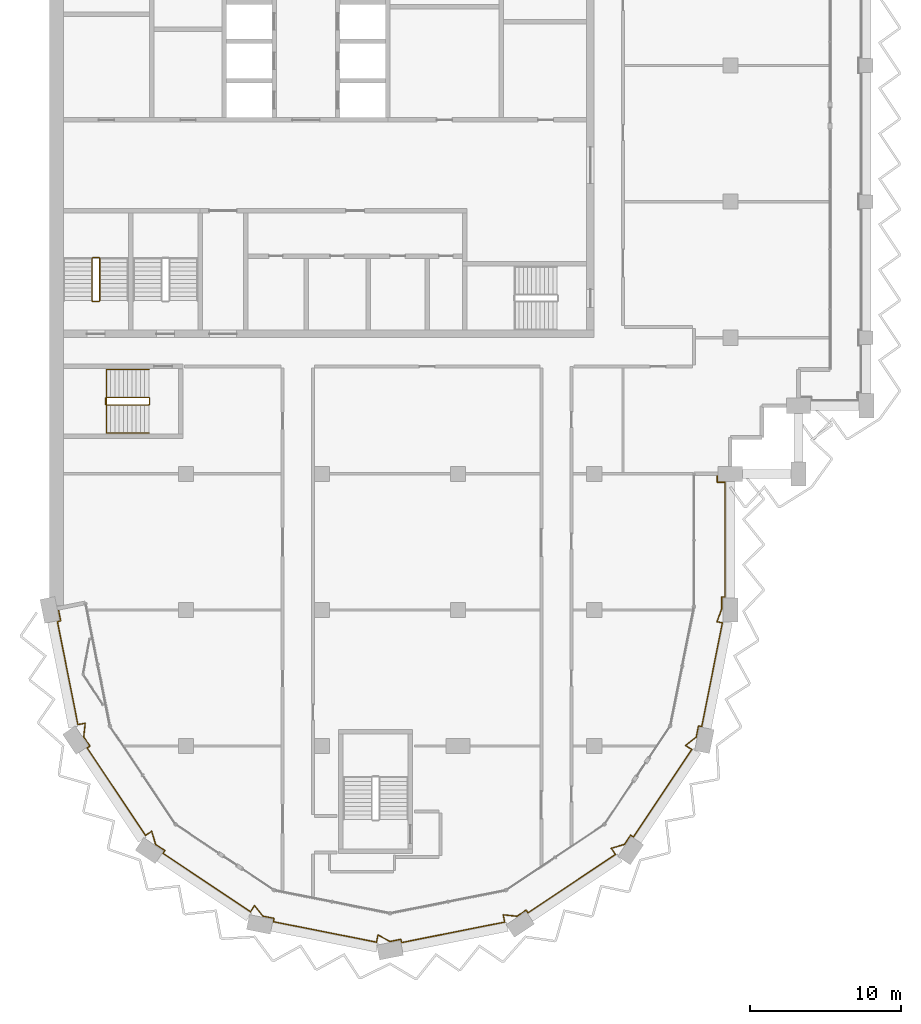
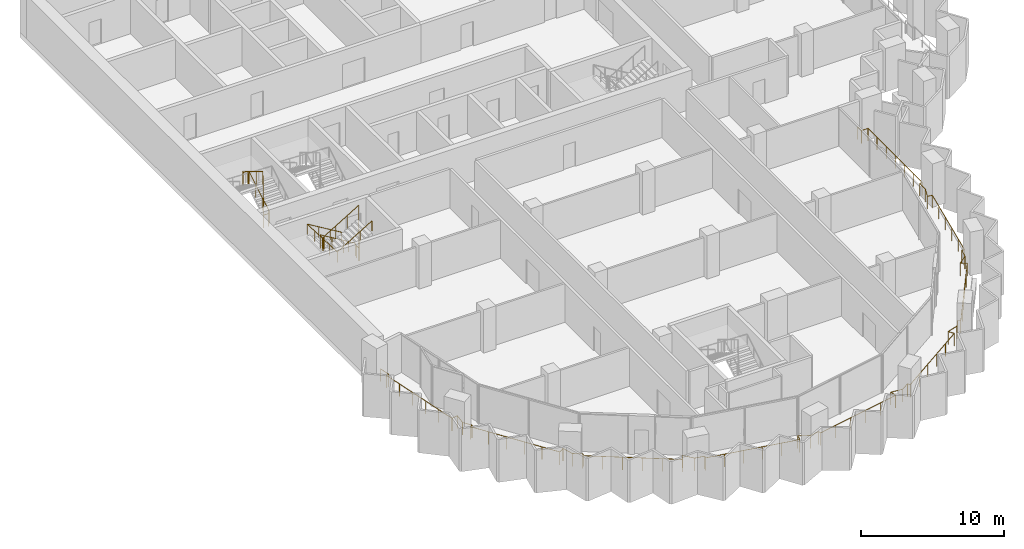
# One storey, part 15 of 17: 4 railings.
"""IFC4 building model written with IfcOpenShell, lengths in metres."""

from ifc_helpers import new_model, si_unit, direction, frame, origin, origin_2d, place, context, subcontext, project, spatial, circle, extrude, material, type_object, element, save


model = new_model("IFC4")

# Units and contexts
model_context = context("Model", 3, precision=1e-05, world=origin(), true_north=direction((0.0, 1.0)))
body_context = subcontext(model_context, "Body", "Model", "MODEL_VIEW")
ifc_project = project(units=[si_unit("LENGTHUNIT", "METRE"), si_unit("AREAUNIT", "SQUARE_METRE"), si_unit("VOLUMEUNIT", "CUBIC_METRE"), si_unit("PLANEANGLEUNIT", "RADIAN"), si_unit("MASSUNIT", "GRAM", prefix="KILO")], contexts=[model_context])

# Site, building, storey
site_placement = place(None, origin())
site = spatial("IfcSite", under=ifc_project, at=site_placement, CompositionType="ELEMENT")
building_placement = place(site_placement, origin())
building = spatial("IfcBuilding", under=site, at=building_placement, Name="Hunhe Ridgeline Campus", CompositionType="ELEMENT")
storey_placement = place(building_placement, frame((0.0, 0.0, 268.800048828125)))
storey = spatial("IfcBuildingStorey", under=building, at=storey_placement, Name="L69", CompositionType="ELEMENT", Elevation=268.800048828125)

# Railings
ifc_material_1 = material(Name="Steel Q355", Category="steel")
railing_type_1 = type_object("IfcRailingType", Name="Loggia guard 1100 Steel Q355", PredefinedType="GUARDRAIL", material=ifc_material_1)
railing_1_placement = place(storey_placement, frame((0.55908203125, 45.111083984375, 0.0)))
element("IfcRailing", 1, at=railing_1_placement, inside=storey, type_object=railing_type_1, Name="Loggia guard 1", PredefinedType="GUARDRAIL", context=body_context, shape_type="SweptSolid", body=[
    extrude(circle(Radius=0.02392578125, at=origin_2d()), frame((0.0, 0.0, 1.076171875), z_axis=(0.195066328581, -0.980790052689, 0.0), x_axis=(0.980790052689, 0.195066328581, 0.0)), (0.0, 0.0, 1.0), 0.849853515625),
    extrude(circle(Radius=0.02392578125, at=origin_2d()), frame((0.165771484375, -0.83349609375, 1.076171875), z_axis=(-0.980750988442, -0.195262640233, 0.0), x_axis=(0.195262640233, -0.980750988442, 0.0)), (0.0, 0.0, 1.0), 0.219970703125),
    extrude(circle(Radius=0.02392578125, at=origin_2d()), frame((-0.050048828125, -0.87646484375, 1.076171875), z_axis=(0.1951025318, -0.980782851647, 0.0), x_axis=(0.980782851647, 0.1951025318, 0.0)), (0.0, 0.0, 1.0), 6.94873046875),
    extrude(circle(Radius=0.02392578125, at=origin_2d()), frame((1.3056640625, -7.691650390625, 1.076171875), z_axis=(0.980791706313, 0.195058014004, 0.0), x_axis=(-0.195058014004, 0.980791706313, 0.0)), (0.0, 0.0, 1.0), 0.488037109375),
    extrude(circle(Radius=0.02392578125, at=origin_2d()), frame((1.784423828125, -7.596435546875, 1.076171875), z_axis=(-0.103312201106, -0.994648977832, 0.0), x_axis=(0.994648977832, -0.103312201106, 0.0)), (0.0, 0.0, 1.0), 0.907470703125),
    extrude(circle(Radius=0.02392578125, at=origin_2d()), frame((1.690673828125, -8.4990234375, 1.076171875), z_axis=(0.555464783965, -0.831540061437, 0.0), x_axis=(0.831540061437, 0.555464783965, 0.0)), (0.0, 0.0, 1.0), 0.736572265625),
    extrude(circle(Radius=0.02392578125, at=origin_2d()), frame((2.099853515625, -9.111572265625, 1.076171875), z_axis=(-0.831708467209, -0.555212594933, 0.0), x_axis=(0.555212594933, -0.831708467209, 0.0)), (0.0, 0.0, 1.0), 0.219970703125),
    extrude(circle(Radius=0.02392578125, at=origin_2d()), frame((1.9169921875, -9.233642578125, 1.076171875), z_axis=(0.555559363791, -0.831476874786, 0.0), x_axis=(0.831476874786, 0.555559363791, 0.0)), (0.0, 0.0, 1.0), 6.948486328125),
    extrude(circle(Radius=0.02392578125, at=origin_2d()), frame((5.77734375, -15.01123046875, 1.076171875), z_axis=(0.831588140797, 0.555392801615, 0.0), x_axis=(-0.555392801615, 0.831588140797, 0.0)), (0.0, 0.0, 1.0), 0.488037109375),
    extrude(circle(Radius=0.02392578125, at=origin_2d()), frame((6.18310546875, -14.740234375, 1.076171875), z_axis=(0.285150626135, -0.958482717849, 0.0), x_axis=(0.958482717849, 0.285150626135, 0.0)), (0.0, 0.0, 1.0), 0.907470703125),
    extrude(circle(Radius=0.02392578125, at=origin_2d()), frame((6.44189453125, -15.610107421875, 1.076171875), z_axis=(0.831540061437, -0.555464783965, 0.0), x_axis=(0.555464783965, 0.831540061437, 0.0)), (0.0, 0.0, 1.0), 0.736572265625),
    extrude(circle(Radius=0.02392578125, at=origin_2d()), frame((7.054443359375, -16.019287109375, 1.076171875), z_axis=(-0.555980009223, -0.831195662491, 0.0), x_axis=(0.831195662491, -0.555980009223, 0.0)), (0.0, 0.0, 1.0), 0.219970703125),
    extrude(circle(Radius=0.02392578125, at=origin_2d()), frame((6.93212890625, -16.2021484375, 1.076171875), z_axis=(0.831460644532, -0.555583654003, 0.0), x_axis=(0.555583654003, 0.831460644532, 0.0)), (0.0, 0.0, 1.0), 6.94873046875),
    extrude(circle(Radius=0.02392578125, at=origin_2d()), frame((12.709716796875, -20.062744140625, 1.076171875), z_axis=(0.555507638283, 0.831511433361, 0.0), x_axis=(-0.831511433361, 0.555507638283, 0.0)), (0.0, 0.0, 1.0), 0.48828125),
    extrude(circle(Radius=0.02392578125, at=origin_2d()), frame((12.98095703125, -19.65673828125, 1.076171875), z_axis=(0.630288754525, -0.776360796227, 0.0), x_axis=(0.776360796227, 0.630288754525, 0.0)), (0.0, 0.0, 1.0), 0.907470703125),
    extrude(circle(Radius=0.02392578125, at=origin_2d()), frame((13.552978515625, -20.361328125, 1.076171875), z_axis=(0.980758742397, -0.19522369019, 0.0), x_axis=(0.19522369019, 0.980758742397, 0.0)), (0.0, 0.0, 1.0), 0.736572265625),
    extrude(circle(Radius=0.02392578125, at=origin_2d()), frame((14.275390625, -20.505126953125, 1.076171875), z_axis=(-0.195262640233, -0.980750988442, 0.0), x_axis=(0.980750988442, -0.195262640233, 0.0)), (0.0, 0.0, 1.0), 0.219970703125),
    extrude(circle(Radius=0.02392578125, at=origin_2d()), frame((14.232421875, -20.720947265625, 1.076171875), z_axis=(0.980789574233, -0.195068734234, 0.0), x_axis=(0.195068734234, 0.980789574233, 0.0)), (0.0, 0.0, 1.0), 6.94873046875),
    extrude(circle(Radius=0.02392578125, at=origin_2d()), frame((21.047607421875, -22.076416015625, 1.076171875), z_axis=(0.195153744134, 0.980772662828, 0.0), x_axis=(-0.980772662828, 0.195153744134, 0.0)), (0.0, 0.0, 1.0), 0.48779296875),
    extrude(circle(Radius=0.02392578125, at=origin_2d()), frame((21.142822265625, -21.597900390625, 1.076171875), z_axis=(0.879371752487, -0.476135821934, 0.0), x_axis=(0.476135821934, 0.879371752487, 0.0)), (0.0, 0.0, 1.0), 0.907470703125),
    extrude(circle(Radius=0.02392578125, at=origin_2d()), frame((21.94091796875, -22.030029296875, 1.076171875), z_axis=(0.980758742397, 0.19522369019, 0.0), x_axis=(-0.19522369019, 0.980758742397, 0.0)), (0.0, 0.0, 1.0), 0.736572265625),
    extrude(circle(Radius=0.02392578125, at=origin_2d()), frame((22.663330078125, -21.88623046875, 1.076171875), z_axis=(0.195262640233, -0.980750988442, 0.0), x_axis=(0.980750988442, 0.195262640233, 0.0)), (0.0, 0.0, 1.0), 0.219970703125),
    extrude(circle(Radius=0.02392578125, at=origin_2d()), frame((22.706298828125, -22.10205078125, 1.076171875), z_axis=(0.980782851647, 0.1951025318, 0.0), x_axis=(-0.1951025318, 0.980782851647, 0.0)), (0.0, 0.0, 1.0), 6.94873046875),
    extrude(circle(Radius=0.02392578125, at=origin_2d()), frame((29.521484375, -20.746337890625, 1.076171875), z_axis=(-0.195058014004, 0.980791706313, 0.0), x_axis=(-0.980791706313, -0.195058014004, 0.0)), (0.0, 0.0, 1.0), 0.488037109375),
    extrude(circle(Radius=0.02392578125, at=origin_2d()), frame((29.42626953125, -20.267578125, 1.076171875), z_axis=(0.994648977832, -0.103312201106, 0.0), x_axis=(0.103312201106, 0.994648977832, 0.0)), (0.0, 0.0, 1.0), 0.907470703125),
    extrude(circle(Radius=0.02392578125, at=origin_2d()), frame((30.328857421875, -20.361328125, 1.076171875), z_axis=(0.831540061437, 0.555464783965, 0.0), x_axis=(-0.555464783965, 0.831540061437, 0.0)), (0.0, 0.0, 1.0), 0.736572265625),
    extrude(circle(Radius=0.02392578125, at=origin_2d()), frame((30.94140625, -19.9521484375, 1.076171875), z_axis=(0.555212594933, -0.831708467209, 0.0), x_axis=(0.831708467209, 0.555212594933, 0.0)), (0.0, 0.0, 1.0), 0.219970703125),
    extrude(circle(Radius=0.02392578125, at=origin_2d()), frame((31.0634765625, -20.135009765625, 1.076171875), z_axis=(0.831476874786, 0.555559363791, 0.0), x_axis=(-0.555559363791, 0.831476874786, 0.0)), (0.0, 0.0, 1.0), 6.948486328125),
    extrude(circle(Radius=0.02392578125, at=origin_2d()), frame((36.841064453125, -16.274658203125, 1.076171875), z_axis=(-0.555392801615, 0.831588140797, 0.0), x_axis=(-0.831588140797, -0.555392801615, 0.0)), (0.0, 0.0, 1.0), 0.488037109375),
    extrude(circle(Radius=0.02392578125, at=origin_2d()), frame((36.570068359375, -15.868896484375, 1.076171875), z_axis=(0.958482717849, 0.285150626135, 0.0), x_axis=(-0.285150626135, 0.958482717849, 0.0)), (0.0, 0.0, 1.0), 0.907470703125),
    extrude(circle(Radius=0.02392578125, at=origin_2d()), frame((37.43994140625, -15.610107421875, 1.076171875), z_axis=(0.555464783965, 0.831540061437, 0.0), x_axis=(-0.831540061437, 0.555464783965, 0.0)), (0.0, 0.0, 1.0), 0.736572265625),
    extrude(circle(Radius=0.02392578125, at=origin_2d()), frame((37.84912109375, -14.99755859375, 1.076171875), z_axis=(0.831195662491, -0.555980009223, 0.0), x_axis=(0.555980009223, 0.831195662491, 0.0)), (0.0, 0.0, 1.0), 0.219970703125),
    extrude(circle(Radius=0.02392578125, at=origin_2d()), frame((38.031982421875, -15.119873046875, 1.076171875), z_axis=(0.555583654003, 0.831460644532, 0.0), x_axis=(-0.831460644532, 0.555583654003, 0.0)), (0.0, 0.0, 1.0), 6.94873046875),
    extrude(circle(Radius=0.02392578125, at=origin_2d()), frame((41.892578125, -9.34228515625, 1.076171875), z_axis=(-0.831511433361, 0.555507638283, 0.0), x_axis=(-0.555507638283, -0.831511433361, 0.0)), (0.0, 0.0, 1.0), 0.48828125),
    extrude(circle(Radius=0.02392578125, at=origin_2d()), frame((41.486572265625, -9.071044921875, 1.076171875), z_axis=(0.776360796227, 0.630288754525, 0.0), x_axis=(-0.630288754525, 0.776360796227, 0.0)), (0.0, 0.0, 1.0), 0.907470703125),
    extrude(circle(Radius=0.02392578125, at=origin_2d()), frame((42.191162109375, -8.4990234375, 1.076171875), z_axis=(0.19522369019, 0.980758742397, 0.0), x_axis=(-0.980758742397, 0.19522369019, 0.0)), (0.0, 0.0, 1.0), 0.736572265625),
    extrude(circle(Radius=0.02392578125, at=origin_2d()), frame((42.3349609375, -7.776611328125, 1.076171875), z_axis=(0.980750988442, -0.195262640233, 0.0), x_axis=(0.195262640233, 0.980750988442, 0.0)), (0.0, 0.0, 1.0), 0.219970703125),
    extrude(circle(Radius=0.02392578125, at=origin_2d()), frame((42.55078125, -7.819580078125, 1.076171875), z_axis=(0.195082678264, 0.980786800809, 0.0), x_axis=(-0.980786800809, 0.195082678264, 0.0)), (0.0, 0.0, 1.0), 6.9970703125),
    extrude(circle(Radius=0.02392578125, at=origin_2d()), frame((43.915771484375, -0.95703125, 1.076171875), z_axis=(-0.980759647752, 0.195219141842, 0.0), x_axis=(-0.195219141842, -0.980759647752, 0.0)), (0.0, 0.0, 1.0), 0.366455078125),
    extrude(circle(Radius=0.02392578125, at=origin_2d()), frame((43.556396484375, -0.885498046875, 1.076171875), z_axis=(0.354074070723, 0.935217382453, 0.0), x_axis=(-0.935217382453, 0.354074070723, 0.0)), (0.0, 0.0, 1.0), 0.88818359375),
    extrude(circle(Radius=0.02392578125, at=origin_2d()), frame((43.870849609375, -0.054931640625, 1.076171875), z_axis=(0.0, 1.0, 0.0), x_axis=(-1.0, 0.0, 0.0)), (0.0, 0.0, 1.0), 0.7939453125),
    extrude(circle(Radius=0.02392578125, at=origin_2d()), frame((43.870849609375, 0.739013671875, 1.076171875), z_axis=(1.0, 0.0, 0.0), x_axis=(0.0, 1.0, 0.0)), (0.0, 0.0, 1.0), 0.219970703125),
    extrude(circle(Radius=0.02392578125, at=origin_2d()), frame((44.0908203125, 0.739013671875, 1.076171875), z_axis=(0.0, 1.0, 0.0), x_axis=(-1.0, 0.0, 0.0)), (0.0, 0.0, 1.0), 7.599853515625),
    extrude(circle(Radius=0.02392578125, at=origin_2d()), frame((44.0908203125, 8.3388671875, 1.076171875), z_axis=(-1.0, 0.0, 0.0), x_axis=(0.0, -1.0, 0.0)), (0.0, 0.0, 1.0), 0.52001953125),
    extrude(circle(Radius=0.02392578125, at=origin_2d()), frame((43.57080078125, 8.3388671875, 1.076171875), z_axis=(0.0, 1.0, 0.0), x_axis=(-1.0, 0.0, 0.0)), (0.0, 0.0, 1.0), 0.550048828125),
    extrude(circle(Radius=0.02099609375, at=origin_2d()), origin(), (0.0, 0.0, 1.0), 1.052001953125),
    extrude(circle(Radius=0.02099609375, at=origin_2d()), frame((0.165771484375, -0.83349609375, 0.0)), (0.0, 0.0, 1.0), 1.052001953125),
    extrude(circle(Radius=0.02099609375, at=origin_2d()), frame((-0.050048828125, -0.87646484375, 0.0)), (0.0, 0.0, 1.0), 1.052001953125),
    extrude(circle(Radius=0.02099609375, at=origin_2d()), frame((0.22119140625, -2.239501953125, 0.0)), (0.0, 0.0, 1.0), 1.052001953125),
    extrude(circle(Radius=0.02099609375, at=origin_2d()), frame((0.4921875, -3.6025390625, 0.0)), (0.0, 0.0, 1.0), 1.052001953125),
    extrude(circle(Radius=0.02099609375, at=origin_2d()), frame((0.763427734375, -4.965576171875, 0.0)), (0.0, 0.0, 1.0), 1.052001953125),
    extrude(circle(Radius=0.02099609375, at=origin_2d()), frame((1.034423828125, -6.32861328125, 0.0)), (0.0, 0.0, 1.0), 1.052001953125),
    extrude(circle(Radius=0.02099609375, at=origin_2d()), frame((1.3056640625, -7.691650390625, 0.0)), (0.0, 0.0, 1.0), 1.052001953125),
    extrude(circle(Radius=0.02099609375, at=origin_2d()), frame((1.784423828125, -7.596435546875, 0.0)), (0.0, 0.0, 1.0), 1.052001953125),
    extrude(circle(Radius=0.02099609375, at=origin_2d()), frame((1.690673828125, -8.4990234375, 0.0)), (0.0, 0.0, 1.0), 1.052001953125),
    extrude(circle(Radius=0.02099609375, at=origin_2d()), frame((2.099853515625, -9.111572265625, 0.0)), (0.0, 0.0, 1.0), 1.052001953125),
    extrude(circle(Radius=0.02099609375, at=origin_2d()), frame((1.9169921875, -9.233642578125, 0.0)), (0.0, 0.0, 1.0), 1.052001953125),
    extrude(circle(Radius=0.02099609375, at=origin_2d()), frame((2.68896484375, -10.38916015625, 0.0)), (0.0, 0.0, 1.0), 1.052001953125),
    extrude(circle(Radius=0.02099609375, at=origin_2d()), frame((3.461181640625, -11.544677734375, 0.0)), (0.0, 0.0, 1.0), 1.052001953125),
    extrude(circle(Radius=0.02099609375, at=origin_2d()), frame((4.233154296875, -12.7001953125, 0.0)), (0.0, 0.0, 1.0), 1.052001953125),
    extrude(circle(Radius=0.02099609375, at=origin_2d()), frame((5.00537109375, -13.855712890625, 0.0)), (0.0, 0.0, 1.0), 1.052001953125),
    extrude(circle(Radius=0.02099609375, at=origin_2d()), frame((5.77734375, -15.01123046875, 0.0)), (0.0, 0.0, 1.0), 1.052001953125),
    extrude(circle(Radius=0.02099609375, at=origin_2d()), frame((6.18310546875, -14.740234375, 0.0)), (0.0, 0.0, 1.0), 1.052001953125),
    extrude(circle(Radius=0.02099609375, at=origin_2d()), frame((6.44189453125, -15.610107421875, 0.0)), (0.0, 0.0, 1.0), 1.052001953125),
    extrude(circle(Radius=0.02099609375, at=origin_2d()), frame((7.054443359375, -16.019287109375, 0.0)), (0.0, 0.0, 1.0), 1.052001953125),
    extrude(circle(Radius=0.02099609375, at=origin_2d()), frame((6.93212890625, -16.2021484375, 0.0)), (0.0, 0.0, 1.0), 1.052001953125),
    extrude(circle(Radius=0.02099609375, at=origin_2d()), frame((8.087646484375, -16.974365234375, 0.0)), (0.0, 0.0, 1.0), 1.052001953125),
    extrude(circle(Radius=0.02099609375, at=origin_2d()), frame((9.2431640625, -17.746337890625, 0.0)), (0.0, 0.0, 1.0), 1.052001953125),
    extrude(circle(Radius=0.02099609375, at=origin_2d()), frame((10.398681640625, -18.5185546875, 0.0)), (0.0, 0.0, 1.0), 1.052001953125),
    extrude(circle(Radius=0.02099609375, at=origin_2d()), frame((11.55419921875, -19.29052734375, 0.0)), (0.0, 0.0, 1.0), 1.052001953125),
    extrude(circle(Radius=0.02099609375, at=origin_2d()), frame((12.709716796875, -20.062744140625, 0.0)), (0.0, 0.0, 1.0), 1.052001953125),
    extrude(circle(Radius=0.02099609375, at=origin_2d()), frame((12.98095703125, -19.65673828125, 0.0)), (0.0, 0.0, 1.0), 1.052001953125),
    extrude(circle(Radius=0.02099609375, at=origin_2d()), frame((13.552978515625, -20.361328125, 0.0)), (0.0, 0.0, 1.0), 1.052001953125),
    extrude(circle(Radius=0.02099609375, at=origin_2d()), frame((14.275390625, -20.505126953125, 0.0)), (0.0, 0.0, 1.0), 1.052001953125),
    extrude(circle(Radius=0.02099609375, at=origin_2d()), frame((14.232421875, -20.720947265625, 0.0)), (0.0, 0.0, 1.0), 1.052001953125),
    extrude(circle(Radius=0.02099609375, at=origin_2d()), frame((15.595458984375, -20.991943359375, 0.0)), (0.0, 0.0, 1.0), 1.052001953125),
    extrude(circle(Radius=0.02099609375, at=origin_2d()), frame((16.95849609375, -21.26318359375, 0.0)), (0.0, 0.0, 1.0), 1.052001953125),
    extrude(circle(Radius=0.02099609375, at=origin_2d()), frame((18.321533203125, -21.5341796875, 0.0)), (0.0, 0.0, 1.0), 1.052001953125),
    extrude(circle(Radius=0.02099609375, at=origin_2d()), frame((19.6845703125, -21.805419921875, 0.0)), (0.0, 0.0, 1.0), 1.052001953125),
    extrude(circle(Radius=0.02099609375, at=origin_2d()), frame((21.047607421875, -22.076416015625, 0.0)), (0.0, 0.0, 1.0), 1.052001953125),
    extrude(circle(Radius=0.02099609375, at=origin_2d()), frame((21.142822265625, -21.597900390625, 0.0)), (0.0, 0.0, 1.0), 1.052001953125),
    extrude(circle(Radius=0.02099609375, at=origin_2d()), frame((21.94091796875, -22.030029296875, 0.0)), (0.0, 0.0, 1.0), 1.052001953125),
    extrude(circle(Radius=0.02099609375, at=origin_2d()), frame((22.663330078125, -21.88623046875, 0.0)), (0.0, 0.0, 1.0), 1.052001953125),
    extrude(circle(Radius=0.02099609375, at=origin_2d()), frame((22.706298828125, -22.10205078125, 0.0)), (0.0, 0.0, 1.0), 1.052001953125),
    extrude(circle(Radius=0.02099609375, at=origin_2d()), frame((24.0693359375, -21.830810546875, 0.0)), (0.0, 0.0, 1.0), 1.052001953125),
    extrude(circle(Radius=0.02099609375, at=origin_2d()), frame((25.432373046875, -21.559814453125, 0.0)), (0.0, 0.0, 1.0), 1.052001953125),
    extrude(circle(Radius=0.02099609375, at=origin_2d()), frame((26.79541015625, -21.28857421875, 0.0)), (0.0, 0.0, 1.0), 1.052001953125),
    extrude(circle(Radius=0.02099609375, at=origin_2d()), frame((28.158447265625, -21.017578125, 0.0)), (0.0, 0.0, 1.0), 1.052001953125),
    extrude(circle(Radius=0.02099609375, at=origin_2d()), frame((29.521484375, -20.746337890625, 0.0)), (0.0, 0.0, 1.0), 1.052001953125),
    extrude(circle(Radius=0.02099609375, at=origin_2d()), frame((29.42626953125, -20.267578125, 0.0)), (0.0, 0.0, 1.0), 1.052001953125),
    extrude(circle(Radius=0.02099609375, at=origin_2d()), frame((30.328857421875, -20.361328125, 0.0)), (0.0, 0.0, 1.0), 1.052001953125),
    extrude(circle(Radius=0.02099609375, at=origin_2d()), frame((30.94140625, -19.9521484375, 0.0)), (0.0, 0.0, 1.0), 1.052001953125),
    extrude(circle(Radius=0.02099609375, at=origin_2d()), frame((31.0634765625, -20.135009765625, 0.0)), (0.0, 0.0, 1.0), 1.052001953125),
    extrude(circle(Radius=0.02099609375, at=origin_2d()), frame((32.218994140625, -19.363037109375, 0.0)), (0.0, 0.0, 1.0), 1.052001953125),
    extrude(circle(Radius=0.02099609375, at=origin_2d()), frame((33.37451171875, -18.5908203125, 0.0)), (0.0, 0.0, 1.0), 1.052001953125),
    extrude(circle(Radius=0.02099609375, at=origin_2d()), frame((34.530029296875, -17.81884765625, 0.0)), (0.0, 0.0, 1.0), 1.052001953125),
    extrude(circle(Radius=0.02099609375, at=origin_2d()), frame((35.685546875, -17.046630859375, 0.0)), (0.0, 0.0, 1.0), 1.052001953125),
    extrude(circle(Radius=0.02099609375, at=origin_2d()), frame((36.841064453125, -16.274658203125, 0.0)), (0.0, 0.0, 1.0), 1.052001953125),
    extrude(circle(Radius=0.02099609375, at=origin_2d()), frame((36.570068359375, -15.868896484375, 0.0)), (0.0, 0.0, 1.0), 1.052001953125),
    extrude(circle(Radius=0.02099609375, at=origin_2d()), frame((37.43994140625, -15.610107421875, 0.0)), (0.0, 0.0, 1.0), 1.052001953125),
    extrude(circle(Radius=0.02099609375, at=origin_2d()), frame((37.84912109375, -14.99755859375, 0.0)), (0.0, 0.0, 1.0), 1.052001953125),
    extrude(circle(Radius=0.02099609375, at=origin_2d()), frame((38.031982421875, -15.119873046875, 0.0)), (0.0, 0.0, 1.0), 1.052001953125),
    extrude(circle(Radius=0.02099609375, at=origin_2d()), frame((38.80419921875, -13.96435546875, 0.0)), (0.0, 0.0, 1.0), 1.052001953125),
    extrude(circle(Radius=0.02099609375, at=origin_2d()), frame((39.576171875, -12.808837890625, 0.0)), (0.0, 0.0, 1.0), 1.052001953125),
    extrude(circle(Radius=0.02099609375, at=origin_2d()), frame((40.348388671875, -11.6533203125, 0.0)), (0.0, 0.0, 1.0), 1.052001953125),
    extrude(circle(Radius=0.02099609375, at=origin_2d()), frame((41.120361328125, -10.497802734375, 0.0)), (0.0, 0.0, 1.0), 1.052001953125),
    extrude(circle(Radius=0.02099609375, at=origin_2d()), frame((41.892578125, -9.34228515625, 0.0)), (0.0, 0.0, 1.0), 1.052001953125),
    extrude(circle(Radius=0.02099609375, at=origin_2d()), frame((41.486572265625, -9.071044921875, 0.0)), (0.0, 0.0, 1.0), 1.052001953125),
    extrude(circle(Radius=0.02099609375, at=origin_2d()), frame((42.191162109375, -8.4990234375, 0.0)), (0.0, 0.0, 1.0), 1.052001953125),
    extrude(circle(Radius=0.02099609375, at=origin_2d()), frame((42.3349609375, -7.776611328125, 0.0)), (0.0, 0.0, 1.0), 1.052001953125),
    extrude(circle(Radius=0.02099609375, at=origin_2d()), frame((42.55078125, -7.819580078125, 0.0)), (0.0, 0.0, 1.0), 1.052001953125),
    extrude(circle(Radius=0.02099609375, at=origin_2d()), frame((42.82373046875, -6.447021484375, 0.0)), (0.0, 0.0, 1.0), 1.052001953125),
    extrude(circle(Radius=0.02099609375, at=origin_2d()), frame((43.0966796875, -5.074462890625, 0.0)), (0.0, 0.0, 1.0), 1.052001953125),
    extrude(circle(Radius=0.02099609375, at=origin_2d()), frame((43.369873046875, -3.7021484375, 0.0)), (0.0, 0.0, 1.0), 1.052001953125),
    extrude(circle(Radius=0.02099609375, at=origin_2d()), frame((43.642822265625, -2.32958984375, 0.0)), (0.0, 0.0, 1.0), 1.052001953125),
    extrude(circle(Radius=0.02099609375, at=origin_2d()), frame((43.915771484375, -0.95703125, 0.0)), (0.0, 0.0, 1.0), 1.052001953125),
    extrude(circle(Radius=0.02099609375, at=origin_2d()), frame((43.556396484375, -0.885498046875, 0.0)), (0.0, 0.0, 1.0), 1.052001953125),
    extrude(circle(Radius=0.02099609375, at=origin_2d()), frame((43.870849609375, -0.054931640625, 0.0)), (0.0, 0.0, 1.0), 1.052001953125),
    extrude(circle(Radius=0.02099609375, at=origin_2d()), frame((43.870849609375, 0.739013671875, 0.0)), (0.0, 0.0, 1.0), 1.052001953125),
    extrude(circle(Radius=0.02099609375, at=origin_2d()), frame((44.0908203125, 0.739013671875, 0.0)), (0.0, 0.0, 1.0), 1.052001953125),
    extrude(circle(Radius=0.02099609375, at=origin_2d()), frame((44.0908203125, 2.005615234375, 0.0)), (0.0, 0.0, 1.0), 1.052001953125),
    extrude(circle(Radius=0.02099609375, at=origin_2d()), frame((44.0908203125, 3.272216796875, 0.0)), (0.0, 0.0, 1.0), 1.052001953125),
    extrude(circle(Radius=0.02099609375, at=origin_2d()), frame((44.0908203125, 4.5390625, 0.0)), (0.0, 0.0, 1.0), 1.052001953125),
    extrude(circle(Radius=0.02099609375, at=origin_2d()), frame((44.0908203125, 5.8056640625, 0.0)), (0.0, 0.0, 1.0), 1.052001953125),
    extrude(circle(Radius=0.02099609375, at=origin_2d()), frame((44.0908203125, 7.072265625, 0.0)), (0.0, 0.0, 1.0), 1.052001953125),
    extrude(circle(Radius=0.02099609375, at=origin_2d()), frame((44.0908203125, 8.3388671875, 0.0)), (0.0, 0.0, 1.0), 1.052001953125),
    extrude(circle(Radius=0.02099609375, at=origin_2d()), frame((43.57080078125, 8.3388671875, 0.0)), (0.0, 0.0, 1.0), 1.052001953125),
    extrude(circle(Radius=0.02099609375, at=origin_2d()), frame((43.57080078125, 8.888916015625, 0.0)), (0.0, 0.0, 1.0), 1.052001953125),
])
ifc_material_2 = material(Name="Stainless steel balustrade", Category="steel")
railing_type_2 = type_object("IfcRailingType", Name="Stair guard 1100 stainless", PredefinedType="GUARDRAIL", material=ifc_material_2)
railing_2_placement = place(storey_placement, frame((3.300048828125, 65.449951171875, 0.168212890625)))
element("IfcRailing", 2, at=railing_2_placement, inside=storey, type_object=railing_type_2, Name="L69 stair S3 guard", PredefinedType="GUARDRAIL", context=body_context, shape_type="SweptSolid", body=[
    extrude(circle(Radius=0.02392578125, at=origin_2d()), frame((0.0, 0.0, 1.076171875), z_axis=(0.0, 0.857275202839, 0.514858452973), x_axis=(-1.0, 0.0, 0.0)), (0.0, 0.0, 1.0), 3.26611328125),
    extrude(circle(Radius=0.02392578125, at=origin_2d()), frame((0.0, 2.800048828125, 2.7578125), z_axis=(-0.707106781187, 0.707106781187, 0.0), x_axis=(-0.707106781187, -0.707106781187, 0.0)), (0.0, 0.0, 1.0), 0.07080078125),
    extrude(circle(Radius=0.02392578125, at=origin_2d()), frame((-0.050048828125, 2.85009765625, 2.7578125), z_axis=(-1.0, 0.0, 0.0), x_axis=(0.0, -1.0, 0.0)), (0.0, 0.0, 1.0), 0.39990234375),
    extrude(circle(Radius=0.02392578125, at=origin_2d()), frame((-0.449951171875, 2.85009765625, 2.7578125), z_axis=(-0.274243871929, -0.274243871929, 0.92172696468), x_axis=(0.707106781187, -0.707106781187, 0.0)), (0.0, 0.0, 1.0), 0.1826171875),
    extrude(circle(Radius=0.02392578125, at=origin_2d()), frame((-0.5, 2.800048828125, 2.92578125), z_axis=(0.0, -0.857242210791, 0.514913383045), x_axis=(1.0, 0.0, 0.0)), (0.0, 0.0, 1.0), 3.266357421875),
    extrude(circle(Radius=0.02392578125, at=origin_2d()), frame((-0.5, 0.0, 4.60791015625), z_axis=(0.013524414389, -0.013524414389, -0.999817073484), x_axis=(0.707106781187, 0.707106781187, 0.0)), (0.0, 0.0, 1.0), 3.70068359375),
    extrude(circle(Radius=0.02392578125, at=origin_2d()), frame((-0.449951171875, -0.050048828125, 0.90771484375), z_axis=(1.0, 0.0, 0.0), x_axis=(0.0, 1.0, 0.0)), (0.0, 0.0, 1.0), 0.39990234375),
    extrude(circle(Radius=0.02099609375, at=origin_2d()), origin(), (0.0, 0.0, 1.0), 1.052001953125),
    extrude(circle(Radius=0.02099609375, at=origin_2d()), frame((0.0, 0.933349609375, 0.560546875)), (0.0, 0.0, 1.0), 1.052001953125),
    extrude(circle(Radius=0.02099609375, at=origin_2d()), frame((0.0, 1.86669921875, 1.12109375)), (0.0, 0.0, 1.0), 1.052001953125),
    extrude(circle(Radius=0.02099609375, at=origin_2d()), frame((0.0, 2.800048828125, 1.681640625)), (0.0, 0.0, 1.0), 1.052001953125),
    extrude(circle(Radius=0.02099609375, at=origin_2d()), frame((-0.050048828125, 2.85009765625, 1.681640625)), (0.0, 0.0, 1.0), 1.052001953125),
    extrude(circle(Radius=0.02099609375, at=origin_2d()), frame((-0.449951171875, 2.85009765625, 1.681640625)), (0.0, 0.0, 1.0), 1.052001953125),
    extrude(circle(Radius=0.02099609375, at=origin_2d()), frame((-0.5, 2.800048828125, 1.849853515625)), (0.0, 0.0, 1.0), 1.052001953125),
    extrude(circle(Radius=0.02099609375, at=origin_2d()), frame((-0.5, 1.86669921875, 2.410400390625)), (0.0, 0.0, 1.0), 1.052001953125),
    extrude(circle(Radius=0.02099609375, at=origin_2d()), frame((-0.5, 0.933349609375, 2.97119140625)), (0.0, 0.0, 1.0), 1.052001953125),
    extrude(circle(Radius=0.02099609375, at=origin_2d()), frame((-0.5, 0.0, 3.53173828125)), (0.0, 0.0, 1.0), 1.052001953125),
    extrude(circle(Radius=0.02099609375, at=origin_2d()), frame((-0.487548828125, -0.012451171875, 2.606689453125)), (0.0, 0.0, 1.0), 1.052001953125),
    extrude(circle(Radius=0.02099609375, at=origin_2d()), frame((-0.47509765625, -0.02490234375, 1.681640625)), (0.0, 0.0, 1.0), 1.052001953125),
    extrude(circle(Radius=0.02099609375, at=origin_2d()), frame((-0.46240234375, -0.03759765625, 0.7568359375)), (0.0, 0.0, 1.0), 1.052001953125),
    extrude(circle(Radius=0.02099609375, at=origin_2d()), frame((-0.449951171875, -0.050048828125, -0.168212890625)), (0.0, 0.0, 1.0), 1.052001953125),
    extrude(circle(Radius=0.02099609375, at=origin_2d()), frame((-0.050048828125, -0.050048828125, -0.168212890625)), (0.0, 0.0, 1.0), 1.052001953125),
])
railing_3_placement = place(storey_placement, frame((6.550048828125, 59.050048828125, 0.168212890625)))
element("IfcRailing", 3, at=railing_3_placement, inside=storey, type_object=railing_type_2, Name="L69 stair W2 guard", PredefinedType="GUARDRAIL", context=body_context, shape_type="SweptSolid", body=[
    extrude(circle(Radius=0.02392578125, at=origin_2d()), frame((0.0, 0.0, 1.076171875), z_axis=(-0.857275202839, 0.0, 0.514858452973), x_axis=(0.0, -1.0, 0.0)), (0.0, 0.0, 1.0), 3.26611328125),
    extrude(circle(Radius=0.02392578125, at=origin_2d()), frame((-2.800048828125, 0.0, 2.7578125), z_axis=(-0.707106781187, -0.707106781187, 0.0), x_axis=(0.707106781187, -0.707106781187, 0.0)), (0.0, 0.0, 1.0), 0.07080078125),
    extrude(circle(Radius=0.02392578125, at=origin_2d()), frame((-2.85009765625, -0.050048828125, 2.7578125), z_axis=(0.0, -1.0, 0.0), x_axis=(1.0, 0.0, 0.0)), (0.0, 0.0, 1.0), 0.39990234375),
    extrude(circle(Radius=0.02392578125, at=origin_2d()), frame((-2.85009765625, -0.449951171875, 2.7578125), z_axis=(0.274243871929, -0.274243871929, 0.92172696468), x_axis=(0.707106781187, 0.707106781187, 0.0)), (0.0, 0.0, 1.0), 0.1826171875),
    extrude(circle(Radius=0.02392578125, at=origin_2d()), frame((-2.800048828125, -0.5, 2.92578125), z_axis=(0.857242210791, 0.0, 0.514913383045), x_axis=(0.0, 1.0, 0.0)), (0.0, 0.0, 1.0), 3.266357421875),
    extrude(circle(Radius=0.02392578125, at=origin_2d()), frame((0.0, -0.5, 4.60791015625), z_axis=(0.013524414389, 0.013524414389, -0.999817073484), x_axis=(-0.707106781187, 0.707106781187, 0.0)), (0.0, 0.0, 1.0), 3.70068359375),
    extrude(circle(Radius=0.02392578125, at=origin_2d()), frame((0.050048828125, -0.449951171875, 0.90771484375), z_axis=(0.0, 1.0, 0.0), x_axis=(-1.0, 0.0, 0.0)), (0.0, 0.0, 1.0), 0.39990234375),
    extrude(circle(Radius=0.02099609375, at=origin_2d()), origin(), (0.0, 0.0, 1.0), 1.052001953125),
    extrude(circle(Radius=0.02099609375, at=origin_2d()), frame((-0.933349609375, 0.0, 0.560546875)), (0.0, 0.0, 1.0), 1.052001953125),
    extrude(circle(Radius=0.02099609375, at=origin_2d()), frame((-1.86669921875, 0.0, 1.12109375)), (0.0, 0.0, 1.0), 1.052001953125),
    extrude(circle(Radius=0.02099609375, at=origin_2d()), frame((-2.800048828125, 0.0, 1.681640625)), (0.0, 0.0, 1.0), 1.052001953125),
    extrude(circle(Radius=0.02099609375, at=origin_2d()), frame((-2.85009765625, -0.050048828125, 1.681640625)), (0.0, 0.0, 1.0), 1.052001953125),
    extrude(circle(Radius=0.02099609375, at=origin_2d()), frame((-2.85009765625, -0.449951171875, 1.681640625)), (0.0, 0.0, 1.0), 1.052001953125),
    extrude(circle(Radius=0.02099609375, at=origin_2d()), frame((-2.800048828125, -0.5, 1.849853515625)), (0.0, 0.0, 1.0), 1.052001953125),
    extrude(circle(Radius=0.02099609375, at=origin_2d()), frame((-1.86669921875, -0.5, 2.410400390625)), (0.0, 0.0, 1.0), 1.052001953125),
    extrude(circle(Radius=0.02099609375, at=origin_2d()), frame((-0.933349609375, -0.5, 2.97119140625)), (0.0, 0.0, 1.0), 1.052001953125),
    extrude(circle(Radius=0.02099609375, at=origin_2d()), frame((0.0, -0.5, 3.53173828125)), (0.0, 0.0, 1.0), 1.052001953125),
    extrude(circle(Radius=0.02099609375, at=origin_2d()), frame((0.012451171875, -0.487548828125, 2.606689453125)), (0.0, 0.0, 1.0), 1.052001953125),
    extrude(circle(Radius=0.02099609375, at=origin_2d()), frame((0.02490234375, -0.47509765625, 1.681640625)), (0.0, 0.0, 1.0), 1.052001953125),
    extrude(circle(Radius=0.02099609375, at=origin_2d()), frame((0.03759765625, -0.46240234375, 0.7568359375)), (0.0, 0.0, 1.0), 1.052001953125),
    extrude(circle(Radius=0.02099609375, at=origin_2d()), frame((0.050048828125, -0.449951171875, -0.168212890625)), (0.0, 0.0, 1.0), 1.052001953125),
    extrude(circle(Radius=0.02099609375, at=origin_2d()), frame((0.050048828125, -0.050048828125, -0.168212890625)), (0.0, 0.0, 1.0), 1.052001953125),
])
ifc_material_3 = material(Name="Stainless steel handrail", Category="steel")
railing_type_3 = type_object("IfcRailingType", Name="Stair handrail 900 stainless", PredefinedType="HANDRAIL", material=ifc_material_3)
railing_4_placement = place(storey_placement, frame((6.550048828125, 60.89990234375, 0.168212890625)))
element("IfcRailing", 4, at=railing_4_placement, inside=storey, type_object=railing_type_3, Name="L69 stair W2 handrail", PredefinedType="HANDRAIL", context=body_context, shape_type="SweptSolid", body=[
    extrude(circle(Radius=0.02392578125, at=origin_2d()), frame((0.0, 0.0, 0.8759765625), z_axis=(-0.857275202839, 0.0, 0.514858452973), x_axis=(0.0, -1.0, 0.0)), (0.0, 0.0, 1.0), 3.26611328125),
    extrude(circle(Radius=0.02392578125, at=origin_2d()), frame((-2.800048828125, 0.0, 2.5576171875), z_axis=(0.0, -0.999198916169, 0.040019069537), x_axis=(1.0, 0.0, 0.0)), (0.0, 0.0, 1.0), 4.203369140625),
    extrude(circle(Radius=0.02392578125, at=origin_2d()), frame((-2.800048828125, -4.199951171875, 2.7255859375), z_axis=(0.857242210791, 0.0, 0.514913383045), x_axis=(0.0, 1.0, 0.0)), (0.0, 0.0, 1.0), 3.266357421875),
    extrude(circle(Radius=0.02099609375, at=origin_2d()), origin(), (0.0, 0.0, 1.0), 0.851806640625),
    extrude(circle(Radius=0.02099609375, at=origin_2d()), frame((-0.933349609375, 0.0, 0.560546875)), (0.0, 0.0, 1.0), 0.851806640625),
    extrude(circle(Radius=0.02099609375, at=origin_2d()), frame((-1.86669921875, 0.0, 1.12109375)), (0.0, 0.0, 1.0), 0.851806640625),
    extrude(circle(Radius=0.02099609375, at=origin_2d()), frame((-2.800048828125, 0.0, 1.681640625)), (0.0, 0.0, 1.0), 0.851806640625),
    extrude(circle(Radius=0.02099609375, at=origin_2d()), frame((-2.800048828125, -1.050048828125, 1.7236328125)), (0.0, 0.0, 1.0), 0.851806640625),
    extrude(circle(Radius=0.02099609375, at=origin_2d()), frame((-2.800048828125, -2.10009765625, 1.765625)), (0.0, 0.0, 1.0), 0.851806640625),
    extrude(circle(Radius=0.02099609375, at=origin_2d()), frame((-2.800048828125, -3.14990234375, 1.807861328125)), (0.0, 0.0, 1.0), 0.851806640625),
    extrude(circle(Radius=0.02099609375, at=origin_2d()), frame((-2.800048828125, -4.199951171875, 1.849853515625)), (0.0, 0.0, 1.0), 0.851806640625),
    extrude(circle(Radius=0.02099609375, at=origin_2d()), frame((-1.86669921875, -4.199951171875, 2.410400390625)), (0.0, 0.0, 1.0), 0.851806640625),
    extrude(circle(Radius=0.02099609375, at=origin_2d()), frame((-0.933349609375, -4.199951171875, 2.97119140625)), (0.0, 0.0, 1.0), 0.851806640625),
    extrude(circle(Radius=0.02099609375, at=origin_2d()), frame((0.0, -4.199951171875, 3.53173828125)), (0.0, 0.0, 1.0), 0.851806640625),
])

save(model, "model.ifc")
